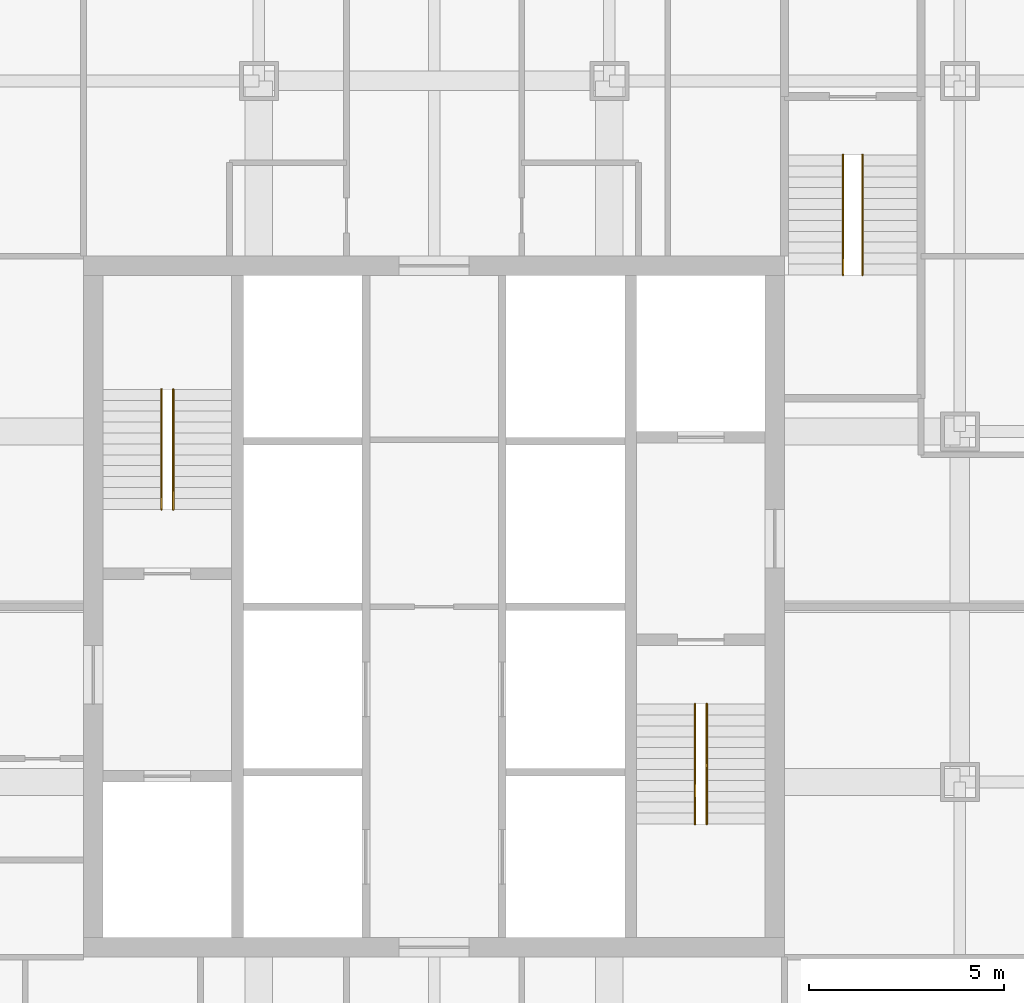
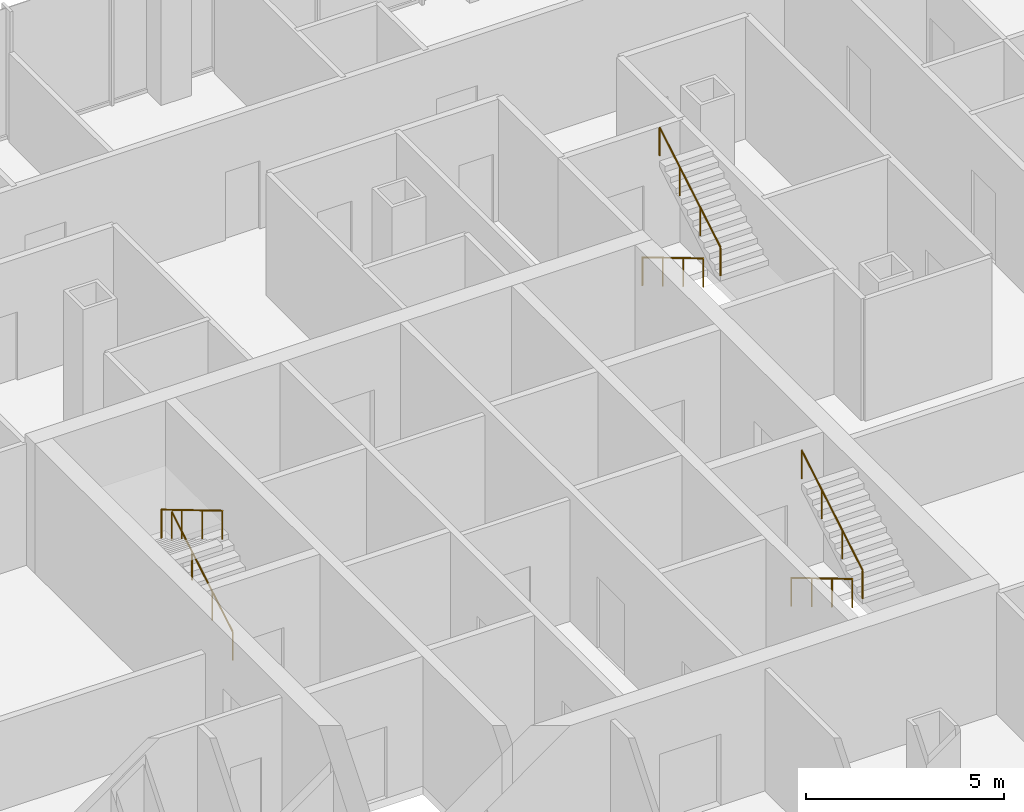
# One storey, part 12 of 12: 6 railings.
"""IFC4 building model written with IfcOpenShell, lengths in metres."""

from ifc_helpers import new_model, si_unit, direction, frame, origin, origin_2d, place, context, subcontext, project, spatial, circle, extrude, material, type_object, element, save


model = new_model("IFC4")

# Units and contexts
model_context = context("Model", 3, precision=1e-05, world=origin(), true_north=direction((0.0, 1.0)))
body_context = subcontext(model_context, "Body", "Model", "MODEL_VIEW")
ifc_project = project(units=[si_unit("LENGTHUNIT", "METRE"), si_unit("AREAUNIT", "SQUARE_METRE"), si_unit("VOLUMEUNIT", "CUBIC_METRE"), si_unit("PLANEANGLEUNIT", "RADIAN"), si_unit("MASSUNIT", "GRAM", prefix="KILO")], contexts=[model_context])

# Site, building, storey
site_placement = place(None, origin())
site = spatial("IfcSite", under=ifc_project, at=site_placement, CompositionType="ELEMENT")
building_placement = place(site_placement, origin())
building = spatial("IfcBuilding", under=site, at=building_placement, Name="Malebo Sky Hospital", CompositionType="ELEMENT")
storey_placement = place(building_placement, frame((0.0, 0.0, 59.0)))
storey = spatial("IfcBuildingStorey", under=building, at=storey_placement, Name="L13", CompositionType="ELEMENT", Elevation=59.0)

# Railings
ifc_material = material(Name="Stainless steel tube", Category="steel")
railing_type = type_object("IfcRailingType", Name="STAIR HANDRAIL 900", PredefinedType="HANDRAIL", material=ifc_material)
railing_1_placement = place(storey_placement, frame((53.300048828125, 64.5, 0.166748046875)))
element("IfcRailing", 1, at=railing_1_placement, inside=storey, type_object=railing_type, Name="Stair handrail S1 flight 1", PredefinedType="HANDRAIL", context=body_context, shape_type="SweptSolid", body=[
    extrude(circle(Radius=0.02392578125, at=origin_2d()), frame((0.0, 0.0, 0.8759765625), z_axis=(0.0, 0.859308565015, 0.511457515432), x_axis=(-1.0, 0.0, 0.0)), (0.0, 0.0, 1.0), 3.58447265625),
    extrude(circle(Radius=0.02099609375, at=origin_2d()), origin(), (0.0, 0.0, 1.0), 0.851806640625),
    extrude(circle(Radius=0.02099609375, at=origin_2d()), frame((0.0, 1.026611328125, 0.611083984375)), (0.0, 0.0, 1.0), 0.851806640625),
    extrude(circle(Radius=0.02099609375, at=origin_2d()), frame((0.0, 2.053466796875, 1.22216796875)), (0.0, 0.0, 1.0), 0.851806640625),
    extrude(circle(Radius=0.02099609375, at=origin_2d()), frame((0.0, 3.080078125, 1.833251953125)), (0.0, 0.0, 1.0), 0.851806640625),
])
for number, where, name in (
    (2, (53.0, 67.580078125, 2.166748046875), "Stair handrail S1 flight 2"),
    (3, (66.699951171875, 59.5, 0.166748046875), "Stair handrail S2 flight 1"),
):
    element("IfcRailing", number, at=place(storey_placement, frame(where)), inside=storey, type_object=railing_type, Name=name, PredefinedType="HANDRAIL", context=body_context, shape_type="SweptSolid", body=[
        extrude(circle(Radius=0.02392578125, at=origin_2d()), frame((0.0, 0.0, 0.8759765625), z_axis=(0.0, -0.859308565015, 0.511457515432), x_axis=(1.0, 0.0, 0.0)), (0.0, 0.0, 1.0), 3.58447265625),
        extrude(circle(Radius=0.02099609375, at=origin_2d()), origin(), (0.0, 0.0, 1.0), 0.851806640625),
        extrude(circle(Radius=0.02099609375, at=origin_2d()), frame((0.0, -1.026611328125, 0.611083984375)), (0.0, 0.0, 1.0), 0.851806640625),
        extrude(circle(Radius=0.02099609375, at=origin_2d()), frame((0.0, -2.053466796875, 1.22216796875)), (0.0, 0.0, 1.0), 0.851806640625),
        extrude(circle(Radius=0.02099609375, at=origin_2d()), frame((0.0, -3.080078125, 1.833251953125)), (0.0, 0.0, 1.0), 0.851806640625),
    ])
railing_2_placement = place(storey_placement, frame((67.0, 56.419921875, 2.166748046875)))
element("IfcRailing", 4, at=railing_2_placement, inside=storey, type_object=railing_type, Name="Stair handrail S2 flight 2", PredefinedType="HANDRAIL", context=body_context, shape_type="SweptSolid", body=[
    extrude(circle(Radius=0.02392578125, at=origin_2d()), frame((0.0, 0.0, 0.8759765625), z_axis=(0.0, 0.859308565015, 0.511457515432), x_axis=(-1.0, 0.0, 0.0)), (0.0, 0.0, 1.0), 3.58447265625),
    extrude(circle(Radius=0.02099609375, at=origin_2d()), origin(), (0.0, 0.0, 1.0), 0.851806640625),
    extrude(circle(Radius=0.02099609375, at=origin_2d()), frame((0.0, 1.026611328125, 0.611083984375)), (0.0, 0.0, 1.0), 0.851806640625),
    extrude(circle(Radius=0.02099609375, at=origin_2d()), frame((0.0, 2.053466796875, 1.22216796875)), (0.0, 0.0, 1.0), 0.851806640625),
    extrude(circle(Radius=0.02099609375, at=origin_2d()), frame((0.0, 3.080078125, 1.833251953125)), (0.0, 0.0, 1.0), 0.851806640625),
])
railing_3_placement = place(storey_placement, frame((70.5, 73.60009765625, 0.166748046875)))
element("IfcRailing", 5, at=railing_3_placement, inside=storey, type_object=railing_type, Name="Stair handrail S3 flight 1", PredefinedType="HANDRAIL", context=body_context, shape_type="SweptSolid", body=[
    extrude(circle(Radius=0.02392578125, at=origin_2d()), frame((0.0, 0.0, 0.8759765625), z_axis=(0.0, -0.859308565015, 0.511457515432), x_axis=(1.0, 0.0, 0.0)), (0.0, 0.0, 1.0), 3.58447265625),
    extrude(circle(Radius=0.02099609375, at=origin_2d()), origin(), (0.0, 0.0, 1.0), 0.851806640625),
    extrude(circle(Radius=0.02099609375, at=origin_2d()), frame((0.0, -1.026611328125, 0.611083984375)), (0.0, 0.0, 1.0), 0.851806640625),
    extrude(circle(Radius=0.02099609375, at=origin_2d()), frame((0.0, -2.053466796875, 1.22216796875)), (0.0, 0.0, 1.0), 0.851806640625),
    extrude(circle(Radius=0.02099609375, at=origin_2d()), frame((0.0, -3.080078125, 1.833251953125)), (0.0, 0.0, 1.0), 0.851806640625),
])
railing_4_placement = place(storey_placement, frame((71.0, 70.52001953125, 2.166748046875)))
element("IfcRailing", 6, at=railing_4_placement, inside=storey, type_object=railing_type, Name="Stair handrail S3 flight 2", PredefinedType="HANDRAIL", context=body_context, shape_type="SweptSolid", body=[
    extrude(circle(Radius=0.02392578125, at=origin_2d()), frame((0.0, 0.0, 0.8759765625), z_axis=(0.0, 0.859308565015, 0.511457515432), x_axis=(-1.0, 0.0, 0.0)), (0.0, 0.0, 1.0), 3.58447265625),
    extrude(circle(Radius=0.02099609375, at=origin_2d()), origin(), (0.0, 0.0, 1.0), 0.851806640625),
    extrude(circle(Radius=0.02099609375, at=origin_2d()), frame((0.0, 1.026611328125, 0.611083984375)), (0.0, 0.0, 1.0), 0.851806640625),
    extrude(circle(Radius=0.02099609375, at=origin_2d()), frame((0.0, 2.053466796875, 1.22216796875)), (0.0, 0.0, 1.0), 0.851806640625),
    extrude(circle(Radius=0.02099609375, at=origin_2d()), frame((0.0, 3.080078125, 1.833251953125)), (0.0, 0.0, 1.0), 0.851806640625),
])

save(model, "model.ifc")
